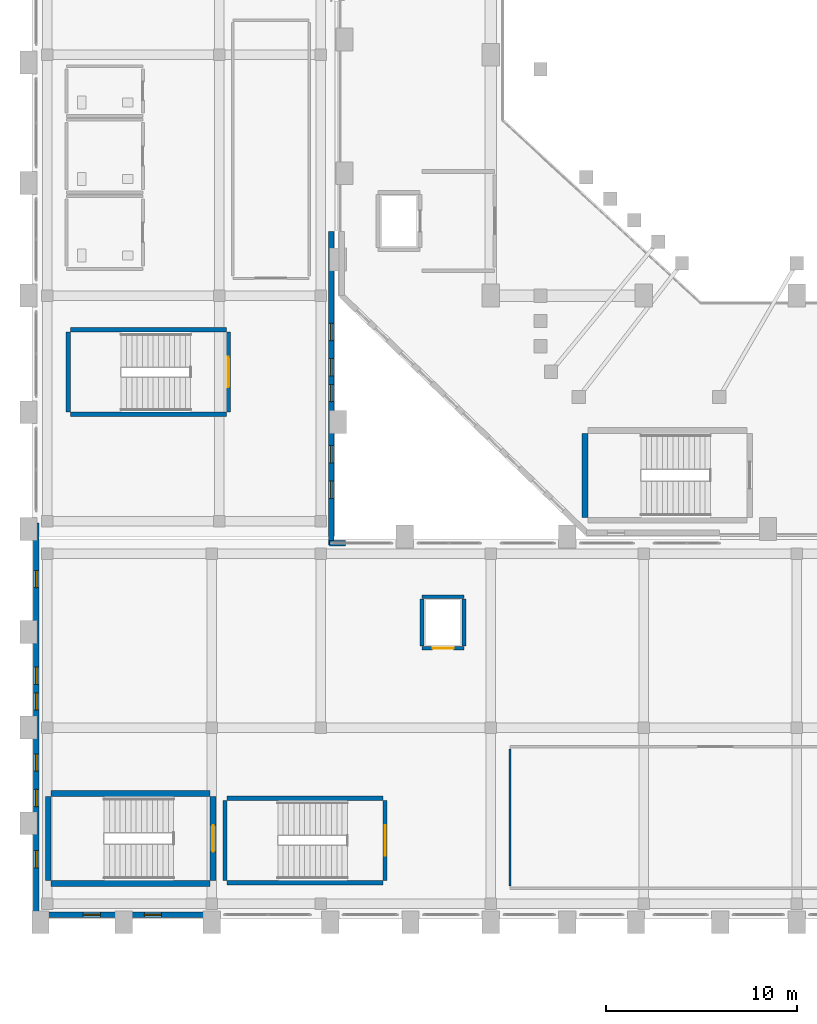
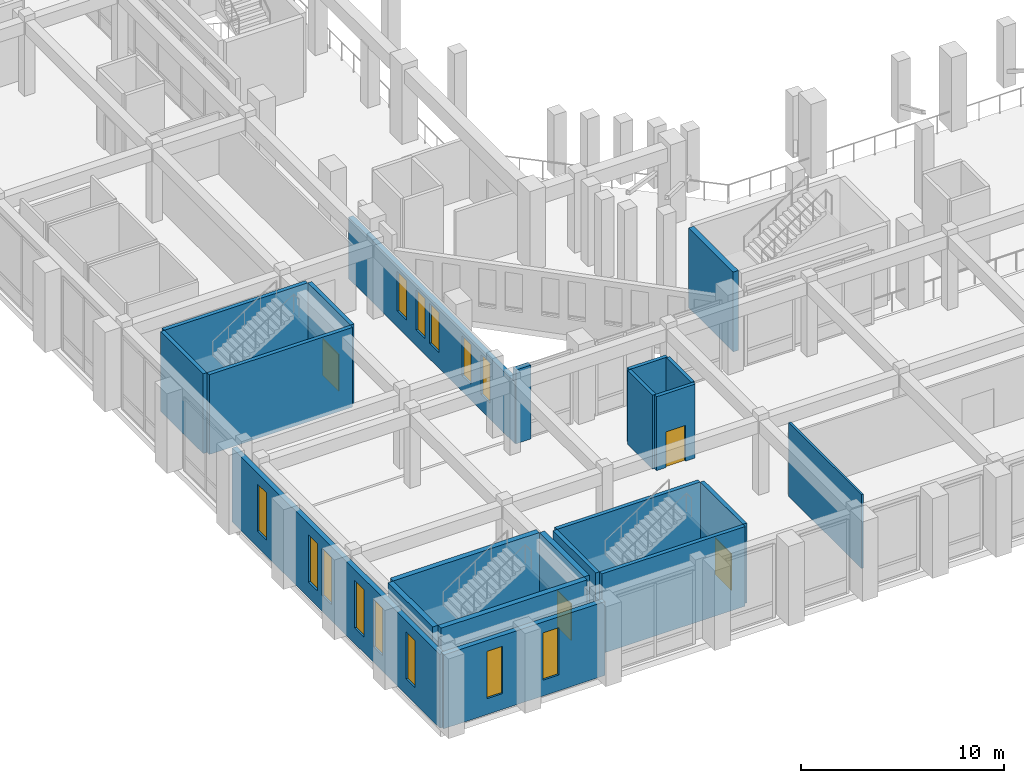
# One storey, part 89 of 126: 22 walls, 13 windows, 4 doors, 17 openings.
"""IFC4 building model written with IfcOpenShell, lengths in metres."""

from ifc_helpers import new_model, si_unit, derived_unit, direction, frame, frame_2d, origin, place, context, subcontext, project, spatial, rectangle, extrude, material, layer, layer_set, type_object, element, fill, save


model = new_model("IFC4")

# Units and contexts
model_context = context("Model", 3, precision=1e-05, world=origin(), true_north=direction((0.0, 1.0)))
body_context = subcontext(model_context, "Body", "Model", "MODEL_VIEW")
ifc_project = project(units=[si_unit("LENGTHUNIT", "METRE"), si_unit("AREAUNIT", "SQUARE_METRE"), si_unit("VOLUMEUNIT", "CUBIC_METRE"), si_unit("PLANEANGLEUNIT", "RADIAN"), si_unit("MASSUNIT", "GRAM", prefix="KILO"), derived_unit("THERMALTRANSMITTANCEUNIT", [(si_unit("MASSUNIT", "GRAM", prefix="KILO"), 1), (si_unit("TIMEUNIT", "SECOND"), -3), (si_unit("THERMODYNAMICTEMPERATUREUNIT", "KELVIN"), -1)])], contexts=[model_context])

# Site, building, storey
site_placement = place(None, origin())
site = spatial("IfcSite", under=ifc_project, at=site_placement, CompositionType="ELEMENT")
building_placement = place(site_placement, origin())
building = spatial("IfcBuilding", under=site, at=building_placement, Name="Valcora Ridge Arena", CompositionType="ELEMENT")
storey_placement = place(building_placement, frame((0.0, 0.0, 11.39990234375)))
storey = spatial("IfcBuildingStorey", under=building, at=storey_placement, Name="L02", CompositionType="ELEMENT", Elevation=11.39990234375)

# Wall, openings, windows
ifc_material_1 = material(Name="Bush-hammered Andean travertine on concrete backup C40/50", Category="masonry")
ifc_layer_1 = layer(ifc_material_1, 0.280029296875, Name="Bush-hammered Andean travertine on concrete backup C40/50")
ifc_layer_set_1 = layer_set([ifc_layer_1], Name="Bush-hammered Andean travertine on concrete backup C40/50")
wall_type_1 = type_object("IfcWallType", Name="TY-WALL-EW-TRV-28-37", PredefinedType="STANDARD", material=ifc_layer_set_1)
wall_1_placement = place(storey_placement, frame((15.64990234375, 19.550048828125, 0.0), z_axis=(0.0, 0.0, 1.0), x_axis=(0.0, 1.0, 0.0)))
wall_1 = element("IfcWall", 1, at=wall_1_placement, inside=storey, type_object=wall_type_1, Name="EW-TRV-28-37 WAL-EW-0090", PredefinedType="STANDARD", context=body_context, shape_type="SweptSolid", body=[
    extrude(rectangle(XDim=16.39990234375, YDim=0.280029296875, at=frame_2d((8.199951171875, 0.0))), origin(), (0.0, 0.0, 1.0), 3.7001953125),
])
opening_1_placement = place(wall_1_placement, frame((2.449951171875, 0.0, 0.949951171875)))
opening_1 = element("IfcOpeningElement", 2, at=opening_1_placement, cuts=wall_1, Name="Opening W-GLAN-90X240", PredefinedType="OPENING", context=body_context, shape_type="SweptSolid", body=[
    extrude(rectangle(XDim=0.89990234375, YDim=2.39990234375, at=frame_2d((0.449951171875, 1.199951171875))), frame((0.0, 0.14990234375, 0.0), z_axis=(0.0, -1.0, 0.0), x_axis=(1.0, 0.0, 0.0)), (0.0, 0.0, 1.0), 0.300048828125),
])
opening_2_placement = place(wall_1_placement, frame((4.300048828125, 0.0, 0.949951171875)))
opening_2 = element("IfcOpeningElement", 3, at=opening_2_placement, cuts=wall_1, Name="Opening W-GLAN-90X240", PredefinedType="OPENING", context=body_context, shape_type="SweptSolid", body=[
    extrude(rectangle(XDim=0.89990234375, YDim=2.39990234375, at=frame_2d((0.449951171875, 1.199951171875))), frame((0.0, 0.14990234375, 0.0), z_axis=(0.0, -1.0, 0.0), x_axis=(1.0, 0.0, 0.0)), (0.0, 0.0, 1.0), 0.300048828125),
])
opening_3_placement = place(wall_1_placement, frame((7.5, 0.0, 0.949951171875)))
opening_3 = element("IfcOpeningElement", 4, at=opening_3_placement, cuts=wall_1, Name="Opening W-GLAN-90X240", PredefinedType="OPENING", context=body_context, shape_type="SweptSolid", body=[
    extrude(rectangle(XDim=0.89990234375, YDim=2.39990234375, at=frame_2d((0.449951171875, 1.199951171875))), frame((0.0, 0.14990234375, 0.0), z_axis=(0.0, -1.0, 0.0), x_axis=(1.0, 0.0, 0.0)), (0.0, 0.0, 1.0), 0.300048828125),
])
opening_4_placement = place(wall_1_placement, frame((8.85009765625, 0.0, 0.949951171875)))
opening_4 = element("IfcOpeningElement", 5, at=opening_4_placement, cuts=wall_1, Name="Opening W-GLAN-90X240", PredefinedType="OPENING", context=body_context, shape_type="SweptSolid", body=[
    extrude(rectangle(XDim=0.89990234375, YDim=2.39990234375, at=frame_2d((0.449951171875, 1.199951171875))), frame((0.0, 0.14990234375, 0.0), z_axis=(0.0, -1.0, 0.0), x_axis=(1.0, 0.0, 0.0)), (0.0, 0.0, 1.0), 0.300048828125),
])
opening_5_placement = place(wall_1_placement, frame((10.699951171875, 0.0, 0.949951171875)))
opening_5 = element("IfcOpeningElement", 6, at=opening_5_placement, cuts=wall_1, Name="Opening W-GLAN-90X240", PredefinedType="OPENING", context=body_context, shape_type="SweptSolid", body=[
    extrude(rectangle(XDim=0.89990234375, YDim=2.39990234375, at=frame_2d((0.449951171875, 1.199951171875))), frame((0.0, 0.14990234375, 0.0), z_axis=(0.0, -1.0, 0.0), x_axis=(1.0, 0.0, 0.0)), (0.0, 0.0, 1.0), 0.300048828125),
])
ifc_material_2 = material(Name="Low-iron solar-control double glazing SHGC 0.28", Category="glass")
window_type_1 = type_object("IfcWindowType", Name="TY-WINDOW-W-GLAN-90X240", PartitioningType="DOUBLE_PANEL_VERTICAL", PredefinedType="WINDOW", material=ifc_material_2)
window_1_placement = place(opening_1_placement, origin())
window_1 = element("IfcWindow", 7, at=window_1_placement, inside=storey, type_object=window_type_1, Name="W-GLAN-90X240 WIN-EX-0281", OverallHeight=2.39990234375, OverallWidth=0.89990234375, PartitioningType="DOUBLE_PANEL_VERTICAL", PredefinedType="WINDOW", context=body_context, shape_type="SweptSolid", body=[
    extrude(rectangle(XDim=0.89990234375, YDim=2.39990234375, at=frame_2d((0.449951171875, 1.199951171875))), frame((0.0, 0.030029296875, 0.0), z_axis=(0.0, -1.0, 0.0), x_axis=(1.0, 0.0, 0.0)), (0.0, 0.0, 1.0), 0.06005859375),
])
fill(opening_1, window_1)
window_2_placement = place(opening_2_placement, origin())
window_2 = element("IfcWindow", 8, at=window_2_placement, inside=storey, type_object=window_type_1, Name="W-GLAN-90X240 WIN-EX-0282", OverallHeight=2.39990234375, OverallWidth=0.89990234375, PartitioningType="DOUBLE_PANEL_VERTICAL", PredefinedType="WINDOW", context=body_context, shape_type="SweptSolid", body=[
    extrude(rectangle(XDim=0.89990234375, YDim=2.39990234375, at=frame_2d((0.449951171875, 1.199951171875))), frame((0.0, 0.030029296875, 0.0), z_axis=(0.0, -1.0, 0.0), x_axis=(1.0, 0.0, 0.0)), (0.0, 0.0, 1.0), 0.06005859375),
])
fill(opening_2, window_2)
window_3_placement = place(opening_3_placement, origin())
window_3 = element("IfcWindow", 9, at=window_3_placement, inside=storey, type_object=window_type_1, Name="W-GLAN-90X240 WIN-EX-0283", OverallHeight=2.39990234375, OverallWidth=0.89990234375, PartitioningType="DOUBLE_PANEL_VERTICAL", PredefinedType="WINDOW", context=body_context, shape_type="SweptSolid", body=[
    extrude(rectangle(XDim=0.89990234375, YDim=2.39990234375, at=frame_2d((0.449951171875, 1.199951171875))), frame((0.0, 0.030029296875, 0.0), z_axis=(0.0, -1.0, 0.0), x_axis=(1.0, 0.0, 0.0)), (0.0, 0.0, 1.0), 0.06005859375),
])
fill(opening_3, window_3)
window_4_placement = place(opening_4_placement, origin())
window_4 = element("IfcWindow", 10, at=window_4_placement, inside=storey, type_object=window_type_1, Name="W-GLAN-90X240 WIN-EX-0284", OverallHeight=2.39990234375, OverallWidth=0.89990234375, PartitioningType="DOUBLE_PANEL_VERTICAL", PredefinedType="WINDOW", context=body_context, shape_type="SweptSolid", body=[
    extrude(rectangle(XDim=0.89990234375, YDim=2.39990234375, at=frame_2d((0.449951171875, 1.199951171875))), frame((0.0, 0.030029296875, 0.0), z_axis=(0.0, -1.0, 0.0), x_axis=(1.0, 0.0, 0.0)), (0.0, 0.0, 1.0), 0.06005859375),
])
fill(opening_4, window_4)
window_5_placement = place(opening_5_placement, origin())
window_5 = element("IfcWindow", 11, at=window_5_placement, inside=storey, type_object=window_type_1, Name="W-GLAN-90X240 WIN-EX-0285", OverallHeight=2.39990234375, OverallWidth=0.89990234375, PartitioningType="DOUBLE_PANEL_VERTICAL", PredefinedType="WINDOW", context=body_context, shape_type="SweptSolid", body=[
    extrude(rectangle(XDim=0.89990234375, YDim=2.39990234375, at=frame_2d((0.449951171875, 1.199951171875))), frame((0.0, 0.030029296875, 0.0), z_axis=(0.0, -1.0, 0.0), x_axis=(1.0, 0.0, 0.0)), (0.0, 0.0, 1.0), 0.06005859375),
])
fill(opening_5, window_5)

ifc_layer_2 = layer(ifc_material_1, 0.280029296875, Name="Bush-hammered Andean travertine on concrete backup C40/50")
ifc_layer_set_2 = layer_set([ifc_layer_2], Name="Bush-hammered Andean travertine on concrete backup C40/50")
wall_type_2 = type_object("IfcWallType", Name="TY-WALL-EW-TRV-28-44", PredefinedType="STANDARD", material=ifc_layer_set_2)
wall_2_placement = place(storey_placement, frame((0.219970703125, 0.219970703125, 0.0), z_axis=(0.0, 0.0, 1.0), x_axis=(1.0, 0.0, 0.0)))
wall_2 = element("IfcWall", 12, at=wall_2_placement, inside=storey, type_object=wall_type_2, Name="EW-TRV-28-44 WAL-EW-0085", PredefinedType="STANDARD", context=body_context, shape_type="SweptSolid", body=[
    extrude(rectangle(XDim=9.179931640625, YDim=0.280029296875, at=frame_2d((4.58984375, 0.0))), origin(), (0.0, 0.0, 1.0), 4.4501953125),
])
opening_6_placement = place(wall_2_placement, frame((2.449951171875, 0.0, 0.949951171875)))
opening_6 = element("IfcOpeningElement", 13, at=opening_6_placement, cuts=wall_2, Name="Opening W-GLAN-90X285", PredefinedType="OPENING", context=body_context, shape_type="SweptSolid", body=[
    extrude(rectangle(XDim=0.89990234375, YDim=2.85009765625, at=frame_2d((0.449951171875, 1.425048828125))), frame((0.0, 0.14990234375, 0.0), z_axis=(0.0, -1.0, 0.0), x_axis=(1.0, 0.0, 0.0)), (0.0, 0.0, 1.0), 0.300048828125),
])
opening_7_placement = place(wall_2_placement, frame((5.64990234375, 0.0, 0.949951171875)))
opening_7 = element("IfcOpeningElement", 14, at=opening_7_placement, cuts=wall_2, Name="Opening W-GLAN-90X285", PredefinedType="OPENING", context=body_context, shape_type="SweptSolid", body=[
    extrude(rectangle(XDim=0.89990234375, YDim=2.85009765625, at=frame_2d((0.449951171875, 1.425048828125))), frame((0.0, 0.14990234375, 0.0), z_axis=(0.0, -1.0, 0.0), x_axis=(1.0, 0.0, 0.0)), (0.0, 0.0, 1.0), 0.300048828125),
])
window_type_2 = type_object("IfcWindowType", Name="TY-WINDOW-W-GLAN-90X285", PartitioningType="DOUBLE_PANEL_VERTICAL", PredefinedType="WINDOW", material=ifc_material_2)
window_6_placement = place(opening_6_placement, origin())
window_6 = element("IfcWindow", 15, at=window_6_placement, inside=storey, type_object=window_type_2, Name="W-GLAN-90X285 WIN-EX-0249", OverallHeight=2.85009765625, OverallWidth=0.89990234375, PartitioningType="DOUBLE_PANEL_VERTICAL", PredefinedType="WINDOW", context=body_context, shape_type="SweptSolid", body=[
    extrude(rectangle(XDim=0.89990234375, YDim=2.85009765625, at=frame_2d((0.449951171875, 1.425048828125))), frame((0.0, 0.030029296875, 0.0), z_axis=(0.0, -1.0, 0.0), x_axis=(1.0, 0.0, 0.0)), (0.0, 0.0, 1.0), 0.06005859375),
])
fill(opening_6, window_6)
window_7_placement = place(opening_7_placement, origin())
window_7 = element("IfcWindow", 16, at=window_7_placement, inside=storey, type_object=window_type_2, Name="W-GLAN-90X285 WIN-EX-0250", OverallHeight=2.85009765625, OverallWidth=0.89990234375, PartitioningType="DOUBLE_PANEL_VERTICAL", PredefinedType="WINDOW", context=body_context, shape_type="SweptSolid", body=[
    extrude(rectangle(XDim=0.89990234375, YDim=2.85009765625, at=frame_2d((0.449951171875, 1.425048828125))), frame((0.0, 0.030029296875, 0.0), z_axis=(0.0, -1.0, 0.0), x_axis=(1.0, 0.0, 0.0)), (0.0, 0.0, 1.0), 0.06005859375),
])
fill(opening_7, window_7)

wall_3_placement = place(storey_placement, frame((0.219970703125, 0.219970703125, 0.0), z_axis=(0.0, 0.0, 1.0), x_axis=(0.0, 1.0, 0.0)))
wall_3 = element("IfcWall", 17, at=wall_3_placement, inside=storey, type_object=wall_type_2, Name="EW-TRV-28-44 WAL-EW-0087", PredefinedType="STANDARD", context=body_context, shape_type="SweptSolid", body=[
    extrude(rectangle(XDim=20.47998046875, YDim=0.280029296875, at=frame_2d((10.239990234375, 0.0))), origin(), (0.0, 0.0, 1.0), 4.4501953125),
])
opening_8_placement = place(wall_3_placement, frame((2.449951171875, 0.0, 0.949951171875)))
opening_8 = element("IfcOpeningElement", 18, at=opening_8_placement, cuts=wall_3, Name="Opening W-GLAN-90X285", PredefinedType="OPENING", context=body_context, shape_type="SweptSolid", body=[
    extrude(rectangle(XDim=0.89990234375, YDim=2.85009765625, at=frame_2d((0.449951171875, 1.425048828125))), frame((0.0, 0.14990234375, 0.0), z_axis=(0.0, -1.0, 0.0), x_axis=(1.0, 0.0, 0.0)), (0.0, 0.0, 1.0), 0.300048828125),
])
opening_9_placement = place(wall_3_placement, frame((5.64990234375, 0.0, 0.949951171875)))
opening_9 = element("IfcOpeningElement", 19, at=opening_9_placement, cuts=wall_3, Name="Opening W-GLAN-90X285", PredefinedType="OPENING", context=body_context, shape_type="SweptSolid", body=[
    extrude(rectangle(XDim=0.89990234375, YDim=2.85009765625, at=frame_2d((0.449951171875, 1.425048828125))), frame((0.0, 0.14990234375, 0.0), z_axis=(0.0, -1.0, 0.0), x_axis=(1.0, 0.0, 0.0)), (0.0, 0.0, 1.0), 0.300048828125),
])
opening_10_placement = place(wall_3_placement, frame((7.5, 0.0, 0.949951171875)))
opening_10 = element("IfcOpeningElement", 20, at=opening_10_placement, cuts=wall_3, Name="Opening W-GLAN-90X285", PredefinedType="OPENING", context=body_context, shape_type="SweptSolid", body=[
    extrude(rectangle(XDim=0.89990234375, YDim=2.85009765625, at=frame_2d((0.449951171875, 1.425048828125))), frame((0.0, 0.14990234375, 0.0), z_axis=(0.0, -1.0, 0.0), x_axis=(1.0, 0.0, 0.0)), (0.0, 0.0, 1.0), 0.300048828125),
])
opening_11_placement = place(wall_3_placement, frame((10.699951171875, 0.0, 0.949951171875)))
opening_11 = element("IfcOpeningElement", 21, at=opening_11_placement, cuts=wall_3, Name="Opening W-GLAN-90X285", PredefinedType="OPENING", context=body_context, shape_type="SweptSolid", body=[
    extrude(rectangle(XDim=0.89990234375, YDim=2.85009765625, at=frame_2d((0.449951171875, 1.425048828125))), frame((0.0, 0.14990234375, 0.0), z_axis=(0.0, -1.0, 0.0), x_axis=(1.0, 0.0, 0.0)), (0.0, 0.0, 1.0), 0.300048828125),
])
opening_12_placement = place(wall_3_placement, frame((12.050048828125, 0.0, 0.949951171875)))
opening_12 = element("IfcOpeningElement", 22, at=opening_12_placement, cuts=wall_3, Name="Opening W-GLAN-90X285", PredefinedType="OPENING", context=body_context, shape_type="SweptSolid", body=[
    extrude(rectangle(XDim=0.89990234375, YDim=2.85009765625, at=frame_2d((0.449951171875, 1.425048828125))), frame((0.0, 0.14990234375, 0.0), z_axis=(0.0, -1.0, 0.0), x_axis=(1.0, 0.0, 0.0)), (0.0, 0.0, 1.0), 0.300048828125),
])
opening_13_placement = place(wall_3_placement, frame((17.10009765625, 0.0, 0.949951171875)))
opening_13 = element("IfcOpeningElement", 23, at=opening_13_placement, cuts=wall_3, Name="Opening W-GLAN-90X285", PredefinedType="OPENING", context=body_context, shape_type="SweptSolid", body=[
    extrude(rectangle(XDim=0.89990234375, YDim=2.85009765625, at=frame_2d((0.449951171875, 1.425048828125))), frame((0.0, 0.14990234375, 0.0), z_axis=(0.0, -1.0, 0.0), x_axis=(1.0, 0.0, 0.0)), (0.0, 0.0, 1.0), 0.300048828125),
])
window_8_placement = place(opening_8_placement, origin())
window_8 = element("IfcWindow", 24, at=window_8_placement, inside=storey, type_object=window_type_2, Name="W-GLAN-90X285 WIN-EX-0259", OverallHeight=2.85009765625, OverallWidth=0.89990234375, PartitioningType="DOUBLE_PANEL_VERTICAL", PredefinedType="WINDOW", context=body_context, shape_type="SweptSolid", body=[
    extrude(rectangle(XDim=0.89990234375, YDim=2.85009765625, at=frame_2d((0.449951171875, 1.425048828125))), frame((0.0, 0.030029296875, 0.0), z_axis=(0.0, -1.0, 0.0), x_axis=(1.0, 0.0, 0.0)), (0.0, 0.0, 1.0), 0.06005859375),
])
fill(opening_8, window_8)
window_9_placement = place(opening_9_placement, origin())
window_9 = element("IfcWindow", 25, at=window_9_placement, inside=storey, type_object=window_type_2, Name="W-GLAN-90X285 WIN-EX-0260", OverallHeight=2.85009765625, OverallWidth=0.89990234375, PartitioningType="DOUBLE_PANEL_VERTICAL", PredefinedType="WINDOW", context=body_context, shape_type="SweptSolid", body=[
    extrude(rectangle(XDim=0.89990234375, YDim=2.85009765625, at=frame_2d((0.449951171875, 1.425048828125))), frame((0.0, 0.030029296875, 0.0), z_axis=(0.0, -1.0, 0.0), x_axis=(1.0, 0.0, 0.0)), (0.0, 0.0, 1.0), 0.06005859375),
])
fill(opening_9, window_9)
window_10_placement = place(opening_10_placement, origin())
window_10 = element("IfcWindow", 26, at=window_10_placement, inside=storey, type_object=window_type_2, Name="W-GLAN-90X285 WIN-EX-0261", OverallHeight=2.85009765625, OverallWidth=0.89990234375, PartitioningType="DOUBLE_PANEL_VERTICAL", PredefinedType="WINDOW", context=body_context, shape_type="SweptSolid", body=[
    extrude(rectangle(XDim=0.89990234375, YDim=2.85009765625, at=frame_2d((0.449951171875, 1.425048828125))), frame((0.0, 0.030029296875, 0.0), z_axis=(0.0, -1.0, 0.0), x_axis=(1.0, 0.0, 0.0)), (0.0, 0.0, 1.0), 0.06005859375),
])
fill(opening_10, window_10)
window_11_placement = place(opening_11_placement, origin())
window_11 = element("IfcWindow", 27, at=window_11_placement, inside=storey, type_object=window_type_2, Name="W-GLAN-90X285 WIN-EX-0262", OverallHeight=2.85009765625, OverallWidth=0.89990234375, PartitioningType="DOUBLE_PANEL_VERTICAL", PredefinedType="WINDOW", context=body_context, shape_type="SweptSolid", body=[
    extrude(rectangle(XDim=0.89990234375, YDim=2.85009765625, at=frame_2d((0.449951171875, 1.425048828125))), frame((0.0, 0.030029296875, 0.0), z_axis=(0.0, -1.0, 0.0), x_axis=(1.0, 0.0, 0.0)), (0.0, 0.0, 1.0), 0.06005859375),
])
fill(opening_11, window_11)
window_12_placement = place(opening_12_placement, origin())
window_12 = element("IfcWindow", 28, at=window_12_placement, inside=storey, type_object=window_type_2, Name="W-GLAN-90X285 WIN-EX-0263", OverallHeight=2.85009765625, OverallWidth=0.89990234375, PartitioningType="DOUBLE_PANEL_VERTICAL", PredefinedType="WINDOW", context=body_context, shape_type="SweptSolid", body=[
    extrude(rectangle(XDim=0.89990234375, YDim=2.85009765625, at=frame_2d((0.449951171875, 1.425048828125))), frame((0.0, 0.030029296875, 0.0), z_axis=(0.0, -1.0, 0.0), x_axis=(1.0, 0.0, 0.0)), (0.0, 0.0, 1.0), 0.06005859375),
])
fill(opening_12, window_12)
window_13_placement = place(opening_13_placement, origin())
window_13 = element("IfcWindow", 29, at=window_13_placement, inside=storey, type_object=window_type_2, Name="W-GLAN-90X285 WIN-EX-0264", OverallHeight=2.85009765625, OverallWidth=0.89990234375, PartitioningType="DOUBLE_PANEL_VERTICAL", PredefinedType="WINDOW", context=body_context, shape_type="SweptSolid", body=[
    extrude(rectangle(XDim=0.89990234375, YDim=2.85009765625, at=frame_2d((0.449951171875, 1.425048828125))), frame((0.0, 0.030029296875, 0.0), z_axis=(0.0, -1.0, 0.0), x_axis=(1.0, 0.0, 0.0)), (0.0, 0.0, 1.0), 0.06005859375),
])
fill(opening_13, window_13)

# Walls
wall_4_placement = place(storey_placement, frame((15.550048828125, 19.64990234375, 0.0), z_axis=(0.0, 0.0, 1.0), x_axis=(1.0, 0.0, 0.0)))
element("IfcWall", 30, at=wall_4_placement, inside=storey, type_object=wall_type_2, Name="EW-TRV-28-44 WAL-EW-0091", PredefinedType="STANDARD", context=body_context, shape_type="SweptSolid", body=[
    extrude(rectangle(XDim=0.849853515625, YDim=0.280029296875, at=frame_2d((0.4248046875, 0.0))), origin(), (0.0, 0.0, 1.0), 4.4501953125),
])
ifc_material_3 = material(Name="Acoustic metal-stud gypsum partition 120 mm")
ifc_layer_3 = layer(ifc_material_3, 0.1201171875, Name="Acoustic metal-stud gypsum partition 120 mm")
ifc_layer_set_3 = layer_set([ifc_layer_3], Name="Acoustic metal-stud gypsum partition 120 mm")
wall_type_3 = type_object("IfcWallType", Name="TY-WALL-IW-PART-120", PredefinedType="PARTITIONING", material=ifc_layer_set_3)
wall_5_placement = place(storey_placement, frame((25.0, 1.719970703125, 0.0), z_axis=(0.0, 0.0, 1.0), x_axis=(0.0, 1.0, 0.0)))
element("IfcWall", 31, at=wall_5_placement, inside=storey, type_object=wall_type_3, Name="IW-PART-120 WAL-IN-0373", PredefinedType="PARTITIONING", context=body_context, shape_type="SweptSolid", body=[
    extrude(rectangle(XDim=7.159912109375, YDim=0.1201171875, at=frame_2d((3.580078125, 0.0))), origin(), (0.0, 0.0, 1.0), 4.4501953125),
])

# Wall, opening, door
ifc_material_4 = material(Name="Concrete C40/50", Category="concrete")
ifc_layer_4 = layer(ifc_material_4, 0.199951171875, Name="Concrete C40/50")
ifc_layer_set_4 = layer_set([ifc_layer_4], Name="Concrete C40/50")
wall_type_4 = type_object("IfcWallType", Name="TY-WALL-IW-SHF-200", PredefinedType="STANDARD", material=ifc_layer_set_4)
wall_6_placement = place(storey_placement, frame((20.39990234375, 14.14990234375, 0.0), z_axis=(0.0, 0.0, 1.0), x_axis=(1.0, 0.0, 0.0)))
wall_6 = element("IfcWall", 32, at=wall_6_placement, inside=storey, type_object=wall_type_4, Name="IW-SHF-200 WAL-SH-0181", PredefinedType="STANDARD", context=body_context, shape_type="SweptSolid", body=[
    extrude(rectangle(XDim=2.2001953125, YDim=0.199951171875, at=frame_2d((1.10009765625, 0.0))), origin(), (0.0, 0.0, 1.0), 4.4501953125),
])
opening_14_placement = place(wall_6_placement, frame((0.550048828125, 0.0, 0.0)))
opening_14 = element("IfcOpeningElement", 33, at=opening_14_placement, cuts=wall_6, Name="Opening LD-PAX", PredefinedType="OPENING", context=body_context, shape_type="SweptSolid", body=[
    extrude(rectangle(XDim=1.10009765625, YDim=2.14990234375, at=frame_2d((0.550048828125, 1.074951171875))), frame((0.0, 0.10986328125, 0.0), z_axis=(0.0, -1.0, 0.0), x_axis=(1.0, 0.0, 0.0)), (0.0, 0.0, 1.0), 0.219970703125),
])
ifc_material_5 = material(Name="Insulated fire-rated hollow metal steel", Category="steel")
door_type_1 = type_object("IfcDoorType", Name="TY-DOOR-LD-PAX", OperationType="NOTDEFINED", PredefinedType="DOOR", material=ifc_material_5)
door_1_placement = place(opening_14_placement, origin())
door_1 = element("IfcDoor", 34, at=door_1_placement, inside=storey, type_object=door_type_1, Name="CL1 Landing Door L02", OperationType="SLIDING_TO_LEFT", OverallHeight=2.14990234375, OverallWidth=1.10009765625, PredefinedType="DOOR", context=body_context, shape_type="SweptSolid", body=[
    extrude(rectangle(XDim=1.10009765625, YDim=2.14990234375, at=frame_2d((0.550048828125, 1.074951171875))), frame((0.0, 0.02490234375, 0.0), z_axis=(0.0, -1.0, 0.0), x_axis=(1.0, 0.0, 0.0)), (0.0, 0.0, 1.0), 0.050048828125),
])
fill(opening_14, door_1)

# Walls
wall_7_placement = place(storey_placement, frame((20.39990234375, 16.85009765625, 0.0), z_axis=(0.0, 0.0, 1.0), x_axis=(1.0, 0.0, 0.0)))
element("IfcWall", 35, at=wall_7_placement, inside=storey, type_object=wall_type_4, Name="IW-SHF-200 WAL-SH-0182", PredefinedType="STANDARD", context=body_context, shape_type="SweptSolid", body=[
    extrude(rectangle(XDim=2.2001953125, YDim=0.199951171875, at=frame_2d((1.10009765625, 0.0))), origin(), (0.0, 0.0, 1.0), 4.4501953125),
])
for number, where, z_axis, x_axis, name in (
    (36, (20.39990234375, 14.27001953125, 0.0), (0.0, 0.0, 1.0), (0.0, 1.0, 0.0), "IW-SHF-200 WAL-SH-0183"),
    (37, (22.60009765625, 14.27001953125, 0.0), (0.0, 0.0, 1.0), (0.0, 1.0, 0.0), "IW-SHF-200 WAL-SH-0184"),
):
    element("IfcWall", number, at=place(storey_placement, frame(where, z_axis=z_axis, x_axis=x_axis)), inside=storey, type_object=wall_type_4, Name=name, PredefinedType="STANDARD", context=body_context, shape_type="SweptSolid", body=[
        extrude(rectangle(XDim=2.4599609375, YDim=0.199951171875, at=frame_2d((1.22998046875, 0.0))), origin(), (0.0, 0.0, 1.0), 4.4501953125),
    ])
ifc_material_6 = material(Name="Concrete C45/55", Category="concrete")
ifc_layer_5 = layer(ifc_material_6, 0.300048828125, Name="Concrete C45/55")
ifc_layer_set_5 = layer_set([ifc_layer_5], Name="Concrete C45/55")
wall_type_5 = type_object("IfcWallType", Name="TY-WALL-SW-C300-L", PredefinedType="SHEAR", material=ifc_layer_set_5)
for number, where, z_axis, x_axis, name in (
    (38, (1.0, 1.85009765625, 0.0), (0.0, 0.0, 1.0), (1.0, 0.0, 0.0), "SW-C300-L WAL-CR-0153"),
    (39, (1.0, 6.550048828125, 0.0), (0.0, 0.0, 1.0), (1.0, 0.0, 0.0), "SW-C300-L WAL-CR-0154"),
):
    element("IfcWall", number, at=place(storey_placement, frame(where, z_axis=z_axis, x_axis=x_axis)), inside=storey, type_object=wall_type_5, Name=name, PredefinedType="SHEAR", context=body_context, shape_type="SweptSolid", body=[
        extrude(rectangle(XDim=8.320068359375, YDim=0.300048828125, at=frame_2d((4.16015625, 0.0))), origin(), (0.0, 0.0, 1.0), 4.800048828125),
    ])
ifc_layer_6 = layer(ifc_material_6, 0.300048828125, Name="Concrete C45/55")
ifc_layer_set_6 = layer_set([ifc_layer_6], Name="Concrete C45/55")
wall_type_6 = type_object("IfcWallType", Name="TY-WALL-SW-C300-S", PredefinedType="SHEAR", material=ifc_layer_set_6)
for number, where, z_axis, x_axis, name in (
    (40, (28.929931640625, 21.0, 0.0), (0.0, 0.0, 1.0), (0.0, 1.0, 0.0), "SW-C300-S WAL-CR-0015"),
    (41, (0.85009765625, 2.0, 0.0), (0.0, 0.0, 1.0), (0.0, 1.0, 0.0), "SW-C300-S WAL-CR-0155"),
):
    element("IfcWall", number, at=place(storey_placement, frame(where, z_axis=z_axis, x_axis=x_axis)), inside=storey, type_object=wall_type_6, Name=name, PredefinedType="SHEAR", context=body_context, shape_type="SweptSolid", body=[
        extrude(rectangle(XDim=4.39990234375, YDim=0.300048828125, at=frame_2d((2.199951171875, 0.0))), origin(), (0.0, 0.0, 1.0), 4.800048828125),
    ])

# Wall, opening, door
wall_8_placement = place(storey_placement, frame((9.469970703125, 2.0, 0.0), z_axis=(0.0, 0.0, 1.0), x_axis=(0.0, 1.0, 0.0)))
wall_8 = element("IfcWall", 42, at=wall_8_placement, inside=storey, type_object=wall_type_6, Name="SW-C300-S WAL-CR-0156", PredefinedType="SHEAR", context=body_context, shape_type="SweptSolid", body=[
    extrude(rectangle(XDim=4.39990234375, YDim=0.300048828125, at=frame_2d((2.199951171875, 0.0))), origin(), (0.0, 0.0, 1.0), 4.800048828125),
])
opening_15_placement = place(wall_8_placement, frame((1.5, 0.0, 0.0)))
opening_15 = element("IfcOpeningElement", 43, at=opening_15_placement, cuts=wall_8, Name="Opening FD-01", PredefinedType="OPENING", context=body_context, shape_type="SweptSolid", body=[
    extrude(rectangle(XDim=1.39990234375, YDim=2.199951171875, at=frame_2d((0.699951171875, 1.10009765625))), frame((0.0, 0.159912109375, 0.0), z_axis=(0.0, -1.0, 0.0), x_axis=(1.0, 0.0, 0.0)), (0.0, 0.0, 1.0), 0.320068359375),
])
ifc_material_7 = material(Name="Insulated fire-rated steel door leaf", Category="steel")
door_type_2 = type_object("IfcDoorType", Name="TY-DOOR-FD-01", OperationType="NOTDEFINED", PredefinedType="DOOR", material=ifc_material_7)
door_2_placement = place(opening_15_placement, origin())
door_2 = element("IfcDoor", 44, at=door_2_placement, inside=storey, type_object=door_type_2, Name="FD-01 DOR-ST-0039", OperationType="DOUBLE_DOOR_SINGLE_SWING", OverallHeight=2.199951171875, OverallWidth=1.39990234375, PredefinedType="DOOR", context=body_context, shape_type="SweptSolid", body=[
    extrude(rectangle(XDim=1.39990234375, YDim=2.199951171875, at=frame_2d((0.699951171875, 1.10009765625))), frame((0.0, 0.02490234375, 0.0), z_axis=(0.0, -1.0, 0.0), x_axis=(1.0, 0.0, 0.0)), (0.0, 0.0, 1.0), 0.050048828125),
])
fill(opening_15, door_2)

# Walls
ifc_material_8 = material(Name="Fire-resisting reinforced concrete enclosure C40/50 200 mm", Category="concrete")
ifc_layer_7 = layer(ifc_material_8, 0.219970703125, Name="Fire-resisting reinforced concrete enclosure C40/50 200 mm")
ifc_layer_set_7 = layer_set([ifc_layer_7], Name="Fire-resisting reinforced concrete enclosure C40/50 200 mm")
wall_type_7 = type_object("IfcWallType", Name="TY-WALL-SW-ES-220", PredefinedType="SHEAR", material=ifc_layer_set_7)
for number, where, z_axis, x_axis, name in (
    (45, (10.199951171875, 1.889892578125, 0.0), (0.0, 0.0, 1.0), (1.0, 0.0, 0.0), "SW-ES-220 WAL-ES-0105"),
    (46, (10.199951171875, 6.31005859375, 0.0), (0.0, 0.0, 1.0), (1.0, 0.0, 0.0), "SW-ES-220 WAL-ES-0106"),
):
    element("IfcWall", number, at=place(storey_placement, frame(where, z_axis=z_axis, x_axis=x_axis)), inside=storey, type_object=wall_type_7, Name=name, PredefinedType="SHEAR", context=body_context, shape_type="SweptSolid", body=[
        extrude(rectangle(XDim=8.16015625, YDim=0.219970703125, at=frame_2d((4.080078125, 0.0))), origin(), (0.0, 0.0, 1.0), 4.800048828125),
    ])
wall_9_placement = place(storey_placement, frame((10.090087890625, 2.0, 0.0), z_axis=(0.0, 0.0, 1.0), x_axis=(0.0, 1.0, 0.0)))
element("IfcWall", 47, at=wall_9_placement, inside=storey, type_object=wall_type_7, Name="SW-ES-220 WAL-ES-0107", PredefinedType="SHEAR", context=body_context, shape_type="SweptSolid", body=[
    extrude(rectangle(XDim=4.199951171875, YDim=0.219970703125, at=frame_2d((2.10009765625, 0.0))), origin(), (0.0, 0.0, 1.0), 4.800048828125),
])

# Wall, opening, door
wall_10_placement = place(storey_placement, frame((18.469970703125, 2.0, 0.0), z_axis=(0.0, 0.0, 1.0), x_axis=(0.0, 1.0, 0.0)))
wall_10 = element("IfcWall", 48, at=wall_10_placement, inside=storey, type_object=wall_type_7, Name="SW-ES-220 WAL-ES-0108", PredefinedType="SHEAR", context=body_context, shape_type="SweptSolid", body=[
    extrude(rectangle(XDim=4.199951171875, YDim=0.219970703125, at=frame_2d((2.10009765625, 0.0))), origin(), (0.0, 0.0, 1.0), 4.800048828125),
])
opening_16_placement = place(wall_10_placement, frame((1.300048828125, 0.0, 0.0)))
opening_16 = element("IfcOpeningElement", 49, at=opening_16_placement, cuts=wall_10, Name="Opening FD-02", PredefinedType="OPENING", context=body_context, shape_type="SweptSolid", body=[
    extrude(rectangle(XDim=1.60009765625, YDim=2.199951171875, at=frame_2d((0.800048828125, 1.10009765625))), frame((0.0, 0.119873046875, 0.0), z_axis=(0.0, -1.0, 0.0), x_axis=(1.0, 0.0, 0.0)), (0.0, 0.0, 1.0), 0.239990234375),
])
door_type_3 = type_object("IfcDoorType", Name="TY-DOOR-FD-02", OperationType="NOTDEFINED", PredefinedType="DOOR", material=ifc_material_7)
door_3_placement = place(opening_16_placement, origin())
door_3 = element("IfcDoor", 50, at=door_3_placement, inside=storey, type_object=door_type_3, Name="FD-02 DOR-ES-0023", OperationType="DOUBLE_DOOR_SINGLE_SWING", OverallHeight=2.199951171875, OverallWidth=1.60009765625, PredefinedType="DOOR", context=body_context, shape_type="SweptSolid", body=[
    extrude(rectangle(XDim=1.60009765625, YDim=2.199951171875, at=frame_2d((0.800048828125, 1.10009765625))), frame((0.0, 0.02490234375, 0.0), z_axis=(0.0, -1.0, 0.0), x_axis=(1.0, 0.0, 0.0)), (0.0, 0.0, 1.0), 0.050048828125),
])
fill(opening_16, door_3)

# Walls
for number, where, z_axis, x_axis, name in (
    (51, (2.0, 26.389892578125, 0.0), (0.0, 0.0, 1.0), (1.0, 0.0, 0.0), "SW-ES-220 WAL-ES-0137"),
    (52, (2.0, 30.81005859375, 0.0), (0.0, 0.0, 1.0), (1.0, 0.0, 0.0), "SW-ES-220 WAL-ES-0138"),
):
    element("IfcWall", number, at=place(storey_placement, frame(where, z_axis=z_axis, x_axis=x_axis)), inside=storey, type_object=wall_type_7, Name=name, PredefinedType="SHEAR", context=body_context, shape_type="SweptSolid", body=[
        extrude(rectangle(XDim=8.159912109375, YDim=0.219970703125, at=frame_2d((4.080078125, 0.0))), origin(), (0.0, 0.0, 1.0), 4.800048828125),
    ])
wall_11_placement = place(storey_placement, frame((1.889892578125, 26.5, 0.0), z_axis=(0.0, 0.0, 1.0), x_axis=(0.0, 1.0, 0.0)))
element("IfcWall", 53, at=wall_11_placement, inside=storey, type_object=wall_type_7, Name="SW-ES-220 WAL-ES-0139", PredefinedType="SHEAR", context=body_context, shape_type="SweptSolid", body=[
    extrude(rectangle(XDim=4.199951171875, YDim=0.219970703125, at=frame_2d((2.10009765625, 0.0))), origin(), (0.0, 0.0, 1.0), 4.800048828125),
])

# Wall, opening, door
wall_12_placement = place(storey_placement, frame((10.27001953125, 26.5, 0.0), z_axis=(0.0, 0.0, 1.0), x_axis=(0.0, 1.0, 0.0)))
wall_12 = element("IfcWall", 54, at=wall_12_placement, inside=storey, type_object=wall_type_7, Name="SW-ES-220 WAL-ES-0140", PredefinedType="SHEAR", context=body_context, shape_type="SweptSolid", body=[
    extrude(rectangle(XDim=4.199951171875, YDim=0.219970703125, at=frame_2d((2.10009765625, 0.0))), origin(), (0.0, 0.0, 1.0), 4.800048828125),
])
opening_17_placement = place(wall_12_placement, frame((1.300048828125, 0.0, 0.0)))
opening_17 = element("IfcOpeningElement", 55, at=opening_17_placement, cuts=wall_12, Name="Opening FD-02", PredefinedType="OPENING", context=body_context, shape_type="SweptSolid", body=[
    extrude(rectangle(XDim=1.60009765625, YDim=2.199951171875, at=frame_2d((0.800048828125, 1.10009765625))), frame((0.0, 0.119873046875, 0.0), z_axis=(0.0, -1.0, 0.0), x_axis=(1.0, 0.0, 0.0)), (0.0, 0.0, 1.0), 0.239990234375),
])
door_4_placement = place(opening_17_placement, origin())
door_4 = element("IfcDoor", 56, at=door_4_placement, inside=storey, type_object=door_type_3, Name="FD-02 DOR-ES-0031", OperationType="DOUBLE_DOOR_SINGLE_SWING", OverallHeight=2.199951171875, OverallWidth=1.60009765625, PredefinedType="DOOR", context=body_context, shape_type="SweptSolid", body=[
    extrude(rectangle(XDim=1.60009765625, YDim=2.199951171875, at=frame_2d((0.800048828125, 1.10009765625))), frame((0.0, 0.02490234375, 0.0), z_axis=(0.0, -1.0, 0.0), x_axis=(1.0, 0.0, 0.0)), (0.0, 0.0, 1.0), 0.050048828125),
])
fill(opening_17, door_4)

save(model, "model.ifc")
